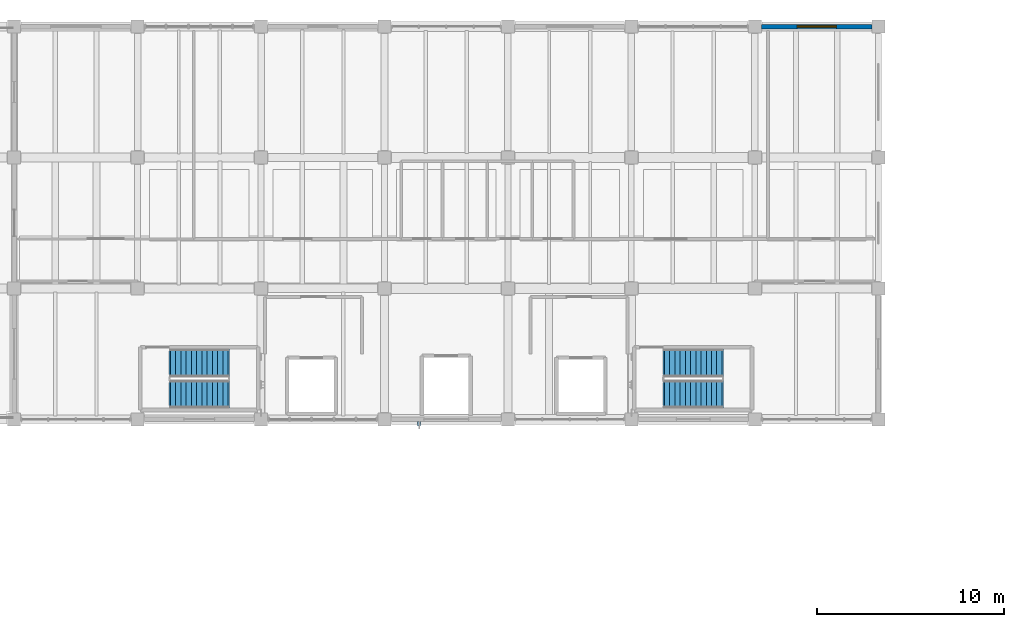
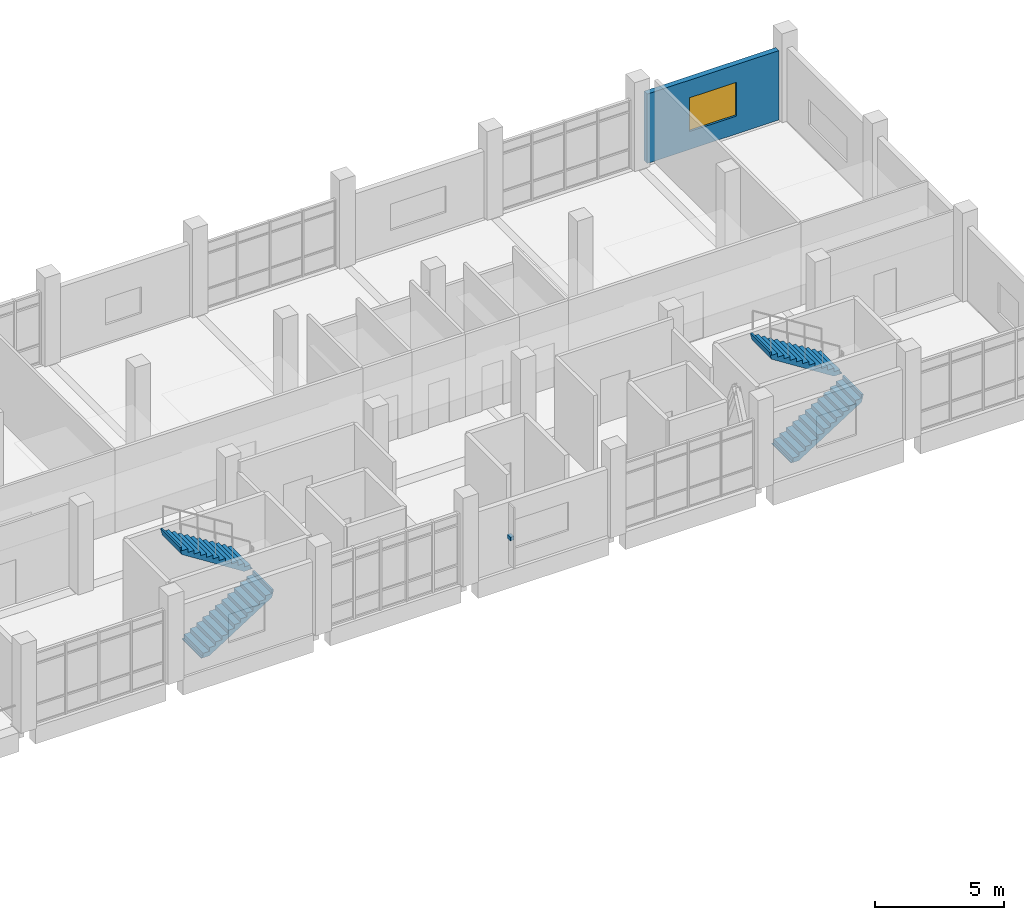
# One storey, part 16 of 20: 4 stair flights, 1 discrete accessory, 1 wall, 1 window, 1 opening, 2 elements without a shape of their own.
"""IFC4 building model written with IfcOpenShell, lengths in metres."""

from ifc_helpers import new_model, si_unit, direction, frame, frame_2d, origin, origin_2d, place, context, subcontext, project, spatial, polyline, rectangle, outline, extrude, material, layer, layer_set, type_object, element, fill, aggregate, save


model = new_model("IFC4")

# Units and contexts
model_context = context("Model", 3, precision=1e-05, world=origin(), true_north=direction((0.0, 1.0)))
body_context = subcontext(model_context, "Body", "Model", "MODEL_VIEW")
ifc_project = project(units=[si_unit("LENGTHUNIT", "METRE"), si_unit("AREAUNIT", "SQUARE_METRE"), si_unit("VOLUMEUNIT", "CUBIC_METRE"), si_unit("PLANEANGLEUNIT", "RADIAN"), si_unit("MASSUNIT", "GRAM", prefix="KILO")], contexts=[model_context])

# Site, building, storey
site_placement = place(None, origin())
site = spatial("IfcSite", under=ifc_project, at=site_placement, CompositionType="ELEMENT")
building_placement = place(site_placement, origin())
building = spatial("IfcBuilding", under=site, at=building_placement, Name="Ciguamira Faculty of Natural Sciences", CompositionType="ELEMENT")
storey_placement = place(building_placement, frame((0.0, 0.0, 21.0)))
storey = spatial("IfcBuildingStorey", under=building, at=storey_placement, Name="L05", CompositionType="ELEMENT", Elevation=21.0)

# Wall, opening, window
ifc_material_1 = material(Name="Precast concrete C40/50", Category="concrete")
ifc_layer = layer(ifc_material_1, 0.239990234375, Name="Precast concrete C40/50")
ifc_layer_set = layer_set([ifc_layer], Name="Precast concrete C40/50")
wall_type = type_object("IfcWallType", Name="ExtWall_EW-02_240", PredefinedType="SOLIDWALL", material=ifc_layer_set)
wall_placement = place(storey_placement, frame((103.85009765625, 115.0, 0.0), z_axis=(0.0, 0.0, 1.0), x_axis=(1.0, 0.0, 0.0)))
wall = element("IfcWall", 1, at=wall_placement, inside=storey, type_object=wall_type, Name="L05 exterior wall 0341", PredefinedType="SOLIDWALL", context=body_context, shape_type="SweptSolid", body=[
    extrude(rectangle(XDim=5.89990234375, YDim=0.239990234375, at=frame_2d((2.949951171875, 0.0))), origin(), (0.0, 0.0, 1.0), 3.284912109375),
])
opening_placement = place(wall_placement, frame((1.89990234375, 0.0, 0.85009765625)))
opening = element("IfcOpeningElement", 2, at=opening_placement, cuts=wall, Name="Opening WT-22", PredefinedType="OPENING", context=body_context, shape_type="SweptSolid", body=[
    extrude(rectangle(XDim=2.10009765625, YDim=1.60009765625, at=frame_2d((1.050048828125, 0.800048828125))), frame((0.0, 0.1298828125, 0.0), z_axis=(0.0, -1.0, 0.0), x_axis=(1.0, 0.0, 0.0)), (0.0, 0.0, 1.0), 0.260009765625),
])
ifc_material_2 = material(Name="Hurricane laminated solar glass", Category="glass")
window_type = type_object("IfcWindowType", Name="Window_WT-22_2100x1600", PartitioningType="DOUBLE_PANEL_VERTICAL", PredefinedType="WINDOW", material=ifc_material_2)
window_placement = place(opening_placement, origin())
window = element("IfcWindow", 3, at=window_placement, inside=storey, type_object=window_type, Name="L05 facade window 0231", OverallHeight=1.60009765625, OverallWidth=2.10009765625, PartitioningType="SINGLE_PANEL", PredefinedType="WINDOW", context=body_context, shape_type="SweptSolid", body=[
    extrude(rectangle(XDim=2.10009765625, YDim=1.60009765625, at=frame_2d((1.050048828125, 0.800048828125))), frame((0.0, 0.030029296875, 0.0), z_axis=(0.0, -1.0, 0.0), x_axis=(1.0, 0.0, 0.0)), (0.0, 0.0, 1.0), 0.06005859375),
])
fill(opening, window)

# Stair, stair flights
ifc_material_3 = material(Name="Concrete C40/50", Category="concrete")
stair_type_1 = type_object("IfcStairType", Name="Stair_STR-01", PredefinedType="HALF_TURN_STAIR", material=ifc_material_3)
stair_1_placement = place(storey_placement, origin())
stair_1 = element("IfcStair", 4, at=stair_1_placement, inside=storey, type_object=stair_type_1, Name="L05 Tower West Exit Stair", PredefinedType="HALF_TURN_STAIR")
stair_flight_type_1 = type_object("IfcStairFlightType", Name="StairFlight_SFL-01", PredefinedType="STRAIGHT", material=ifc_material_1)
stair_flight_1_placement = place(storey_placement, frame((72.260009765625, 95.35009765625, 0.0), z_axis=(0.0, 0.0, 1.0), x_axis=(1.0, 0.0, 0.0)))
stair_flight_1 = element("IfcStairFlight", 5, at=stair_flight_1_placement, type_object=stair_flight_type_1, Name="ST-T1 flight 1", NumberOfRisers=12, NumberOfTreads=11, PredefinedType="STRAIGHT", RiserHeight=0.175, TreadLength=0.28, context=body_context, shape_type="SweptSolid", body=[
    extrude(outline(polyline([(-0.080078125, -0.034912109375), (-0.080078125, 0.0), (0.0, 0.0), (0.0, 0.175048828125), (0.280029296875, 0.175048828125), (0.280029296875, 0.35009765625), (0.56005859375, 0.35009765625), (0.56005859375, 0.52490234375), (0.840087890625, 0.52490234375), (0.840087890625, 0.699951171875), (1.1201171875, 0.699951171875), (1.1201171875, 0.875), (1.39990234375, 0.875), (1.39990234375, 1.050048828125), (1.679931640625, 1.050048828125), (1.679931640625, 1.22509765625), (1.9599609375, 1.22509765625), (1.9599609375, 1.39990234375), (2.239990234375, 1.39990234375), (2.239990234375, 1.574951171875), (2.52001953125, 1.574951171875), (2.52001953125, 1.75), (2.800048828125, 1.75), (2.800048828125, 1.925048828125), (3.080078125, 1.925048828125), (3.080078125, 2.10009765625), (3.16015625, 2.10009765625), (3.16015625, 2.065185546875), (3.080078125, 1.748291015625), (0.28271484375, -0.034912109375), (-0.080078125, -0.034912109375)])), frame((0.0, 0.75, 0.0), z_axis=(0.0, -1.0, 0.0), x_axis=(1.0, 0.0, 0.0)), (0.0, 0.0, 1.0), 1.5),
])
stair_flight_2_placement = place(storey_placement, frame((75.340087890625, 97.010009765625, 2.10009765625), z_axis=(0.0, 0.0, 1.0), x_axis=(-1.0, 0.0, 0.0)))
stair_flight_2 = element("IfcStairFlight", 6, at=stair_flight_2_placement, type_object=stair_flight_type_1, Name="ST-T1 flight 2", NumberOfRisers=12, NumberOfTreads=11, PredefinedType="STRAIGHT", RiserHeight=0.175, TreadLength=0.28, context=body_context, shape_type="SweptSolid", body=[
    extrude(outline(polyline([(-0.080078125, -0.034912109375), (-0.080078125, 0.0), (0.0, 0.0), (0.0, 0.175048828125), (0.280029296875, 0.175048828125), (0.280029296875, 0.35009765625), (0.56005859375, 0.35009765625), (0.56005859375, 0.52490234375), (0.840087890625, 0.52490234375), (0.840087890625, 0.699951171875), (1.1201171875, 0.699951171875), (1.1201171875, 0.875), (1.39990234375, 0.875), (1.39990234375, 1.050048828125), (1.679931640625, 1.050048828125), (1.679931640625, 1.22509765625), (1.9599609375, 1.22509765625), (1.9599609375, 1.39990234375), (2.239990234375, 1.39990234375), (2.239990234375, 1.574951171875), (2.52001953125, 1.574951171875), (2.52001953125, 1.75), (2.800048828125, 1.75), (2.800048828125, 1.925048828125), (3.080078125, 1.925048828125), (3.080078125, 2.10009765625), (3.16015625, 2.10009765625), (3.16015625, 2.065185546875), (3.080078125, 1.748291015625), (0.28271484375, -0.034912109375), (-0.080078125, -0.034912109375)])), frame((0.0, 0.75, 0.0), z_axis=(0.0, -1.0, 0.0), x_axis=(1.0, 0.0, 0.0)), (0.0, 0.0, 1.0), 1.5),
])
aggregate(stair_1, [stair_flight_1, stair_flight_2])

stair_type_2 = type_object("IfcStairType", Name="Stair_STR-02", PredefinedType="HALF_TURN_STAIR", material=ifc_material_3)
stair_2_placement = place(storey_placement, origin())
stair_2 = element("IfcStair", 7, at=stair_2_placement, inside=storey, type_object=stair_type_2, Name="L05 Tower East Exit Stair", PredefinedType="HALF_TURN_STAIR")
stair_flight_type_2 = type_object("IfcStairFlightType", Name="StairFlight_SFL-02", PredefinedType="STRAIGHT", material=ifc_material_1)
stair_flight_3_placement = place(storey_placement, frame((98.659912109375, 95.35009765625, 0.0), z_axis=(0.0, 0.0, 1.0), x_axis=(1.0, 0.0, 0.0)))
stair_flight_3 = element("IfcStairFlight", 8, at=stair_flight_3_placement, type_object=stair_flight_type_2, Name="ST-T2 flight 1", NumberOfRisers=12, NumberOfTreads=11, PredefinedType="STRAIGHT", RiserHeight=0.175, TreadLength=0.28, context=body_context, shape_type="SweptSolid", body=[
    extrude(outline(polyline([(-0.080078125, -0.034912109375), (-0.080078125, 0.0), (0.0, 0.0), (0.0, 0.175048828125), (0.280029296875, 0.175048828125), (0.280029296875, 0.35009765625), (0.56005859375, 0.35009765625), (0.56005859375, 0.52490234375), (0.840087890625, 0.52490234375), (0.840087890625, 0.699951171875), (1.1201171875, 0.699951171875), (1.1201171875, 0.875), (1.39990234375, 0.875), (1.39990234375, 1.050048828125), (1.679931640625, 1.050048828125), (1.679931640625, 1.22509765625), (1.9599609375, 1.22509765625), (1.9599609375, 1.39990234375), (2.239990234375, 1.39990234375), (2.239990234375, 1.574951171875), (2.52001953125, 1.574951171875), (2.52001953125, 1.75), (2.800048828125, 1.75), (2.800048828125, 1.925048828125), (3.080078125, 1.925048828125), (3.080078125, 2.10009765625), (3.16015625, 2.10009765625), (3.16015625, 2.065185546875), (3.080078125, 1.748291015625), (0.28271484375, -0.034912109375), (-0.080078125, -0.034912109375)])), frame((0.0, 0.75, 0.0), z_axis=(0.0, -1.0, 0.0), x_axis=(1.0, 0.0, 0.0)), (0.0, 0.0, 1.0), 1.5),
])
stair_flight_4_placement = place(storey_placement, frame((101.739990234375, 97.010009765625, 2.10009765625), z_axis=(0.0, 0.0, 1.0), x_axis=(-1.0, 0.0, 0.0)))
stair_flight_4 = element("IfcStairFlight", 9, at=stair_flight_4_placement, type_object=stair_flight_type_2, Name="ST-T2 flight 2", NumberOfRisers=12, NumberOfTreads=11, PredefinedType="STRAIGHT", RiserHeight=0.175, TreadLength=0.28, context=body_context, shape_type="SweptSolid", body=[
    extrude(outline(polyline([(-0.080078125, -0.034912109375), (-0.080078125, 0.0), (0.0, 0.0), (0.0, 0.175048828125), (0.280029296875, 0.175048828125), (0.280029296875, 0.35009765625), (0.56005859375, 0.35009765625), (0.56005859375, 0.52490234375), (0.840087890625, 0.52490234375), (0.840087890625, 0.699951171875), (1.1201171875, 0.699951171875), (1.1201171875, 0.875), (1.39990234375, 0.875), (1.39990234375, 1.050048828125), (1.679931640625, 1.050048828125), (1.679931640625, 1.22509765625), (1.9599609375, 1.22509765625), (1.9599609375, 1.39990234375), (2.239990234375, 1.39990234375), (2.239990234375, 1.574951171875), (2.52001953125, 1.574951171875), (2.52001953125, 1.75), (2.800048828125, 1.75), (2.800048828125, 1.925048828125), (3.080078125, 1.925048828125), (3.080078125, 2.10009765625), (3.16015625, 2.10009765625), (3.16015625, 2.065185546875), (3.080078125, 1.748291015625), (0.28271484375, -0.034912109375), (-0.080078125, -0.034912109375)])), frame((0.0, 0.75, 0.0), z_axis=(0.0, -1.0, 0.0), x_axis=(1.0, 0.0, 0.0)), (0.0, 0.0, 1.0), 1.5),
])
aggregate(stair_2, [stair_flight_3, stair_flight_4])

# Discrete accessory
ifc_material_4 = material(Name="Stainless steel fixing bracket", Category="steel")
discrete_accessory_type = type_object("IfcDiscreteAccessoryType", Name="FacadeBracket_BK01", PredefinedType="BRACKET", material=ifc_material_4)
discrete_accessory_placement = place(storey_placement, frame((85.550048828125, 93.780029296875, 1.44482421875), z_axis=(0.0, 0.0, 1.0), x_axis=(1.0, 0.0, 0.0)))
element("IfcDiscreteAccessory", 10, at=discrete_accessory_placement, inside=storey, type_object=discrete_accessory_type, Name="L05 sunshade fixing bracket 0030", PredefinedType="BRACKET", context=body_context, shape_type="SweptSolid", body=[
    extrude(rectangle(XDim=0.159912109375, YDim=0.239990234375, at=origin_2d()), origin(), (0.0, 0.0, 1.0), 0.159912109375),
])

save(model, "model.ifc")
